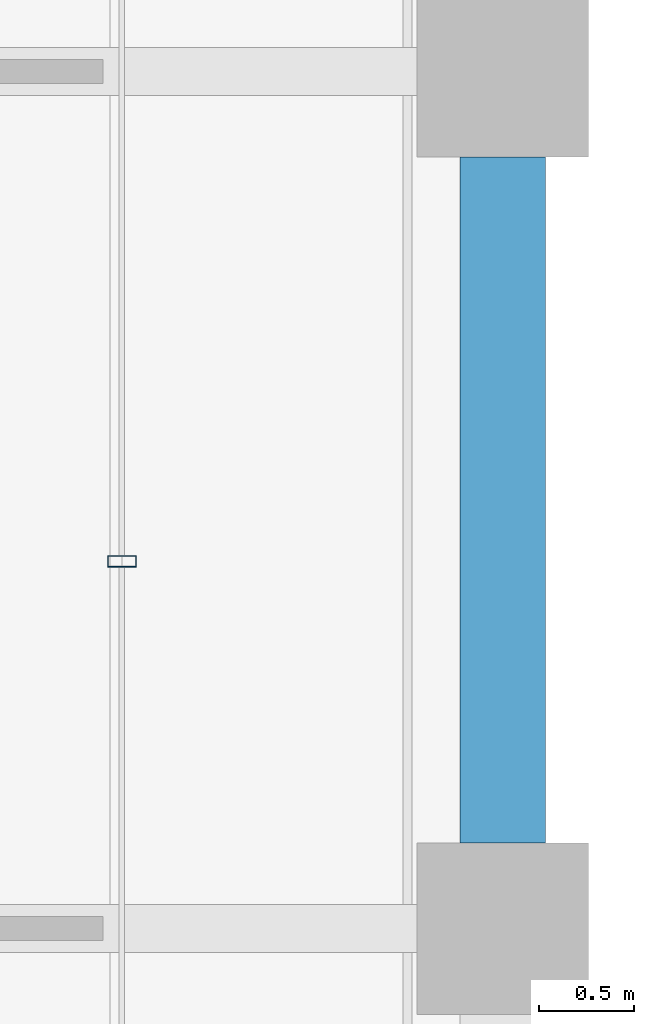
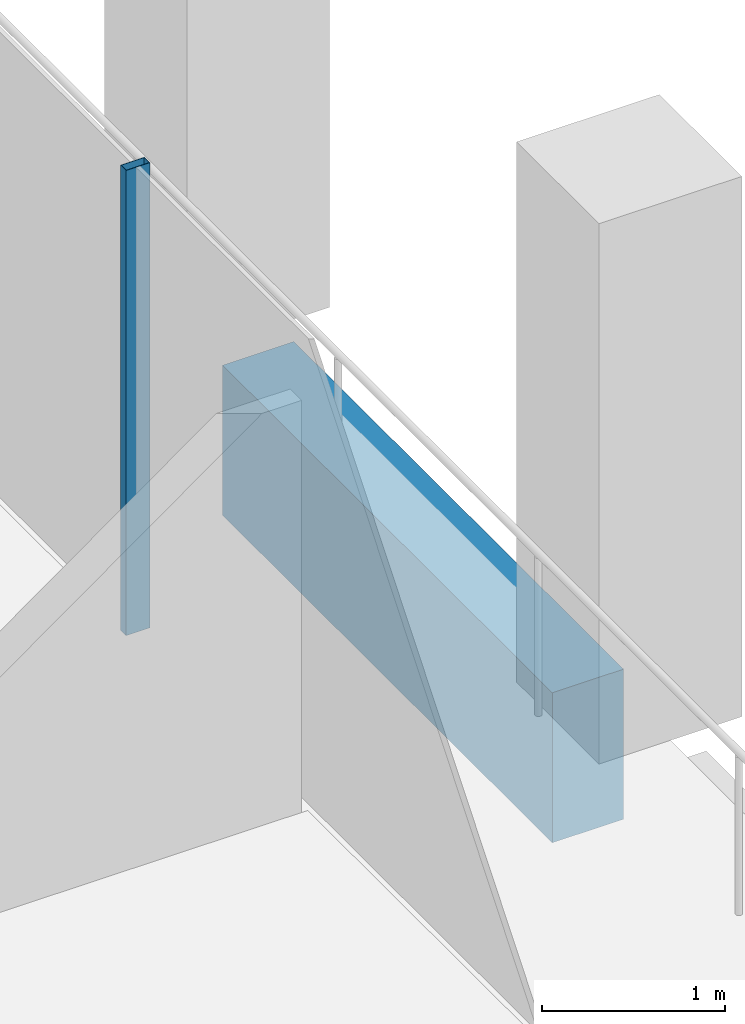
# One storey, part 17 of 40: 1 beam, 1 member, 1 element without a shape of its own.
"""IFC4 building model written with IfcOpenShell, lengths in metres."""

from ifc_helpers import new_model, si_unit, direction, frame, origin, origin_2d, place, context, subcontext, project, spatial, rectangle, hollow_rectangle, extrude, material, material_profile, profile_set, type_object, element, aggregate, save


model = new_model("IFC4")

# Units and contexts
model_context = context("Model", 3, precision=1e-05, world=origin(), true_north=direction((0.0, 1.0)))
body_context = subcontext(model_context, "Body", "Model", "MODEL_VIEW")
ifc_project = project(units=[si_unit("LENGTHUNIT", "METRE"), si_unit("AREAUNIT", "SQUARE_METRE"), si_unit("VOLUMEUNIT", "CUBIC_METRE"), si_unit("PLANEANGLEUNIT", "RADIAN"), si_unit("MASSUNIT", "GRAM", prefix="KILO")], contexts=[model_context])

# Site, building, storey
site_placement = place(None, origin())
site = spatial("IfcSite", under=ifc_project, at=site_placement, CompositionType="ELEMENT")
building_placement = place(site_placement, origin())
building = spatial("IfcBuilding", under=site, at=building_placement, Name="Altepetl Exchange Towers", CompositionType="ELEMENT")
storey_placement = place(building_placement, frame((0.0, 0.0, 151.0)))
storey = spatial("IfcBuildingStorey", under=building, at=storey_placement, Name="L37", CompositionType="ELEMENT", Elevation=151.0)

# Curtain wall, member
ifc_material_1 = material(Name="Aluminium 6063-T6 glazing", Category="aluminium")
curtain_wall_type = type_object("IfcCurtainWallType", Name="Loggia glazing system", PredefinedType="NOTDEFINED", material=ifc_material_1)
curtain_wall_placement = place(storey_placement, origin())
curtain_wall = element("IfcCurtainWall", 1, at=curtain_wall_placement, inside=storey, type_object=curtain_wall_type, Name="CW1 run", PredefinedType="NOTDEFINED")
ifc_material_2 = material(Name="Aluminium 6063-T6", Category="aluminium")
ifc_material_profile_1 = material_profile(ifc_material_2, hollow_rectangle(XDim=0.06005859375, YDim=0.14990234375, WallThickness=0.0029296875, at=origin_2d()), Name="Mullion 60x150 aluminium")
ifc_profile_set_1 = profile_set([ifc_material_profile_1], Name="Aluminium 6063-T6")
member_type = type_object("IfcMemberType", Name="Mullion 60x150 aluminium", PredefinedType="MULLION", material=ifc_profile_set_1)
member_placement = place(storey_placement, frame((70.0, 46.927978515625, 0.0), z_axis=(0.0, 0.0, 1.0), x_axis=(0.0, 1.0, 0.0)))
member = element("IfcMember", 2, at=member_placement, type_object=member_type, Name="MU1 mullion", PredefinedType="MULLION", context=body_context, shape_type="SweptSolid", body=[
    extrude(hollow_rectangle(XDim=0.06005859375, YDim=0.14990234375, WallThickness=0.0029296875, at=origin_2d()), origin(), (0.0, 0.0, 1.0), 3.10009765625),
])
aggregate(curtain_wall, [member])

# Beam
ifc_material_3 = material(Name="Concrete C50/60 precast with cantera amarilla facing", Category="concrete")
ifc_material_profile_2 = material_profile(ifc_material_3, rectangle(XDim=0.449951171875, YDim=1.0, at=origin_2d()), Name="450 x 1000")
ifc_profile_set_2 = profile_set([ifc_material_profile_2], Name="Concrete C50/60 precast with cantera amarilla facing")
beam_type = type_object("IfcBeamType", Name="Spandrel beam 450x1000 cantera amarilla", PredefinedType="SPANDREL", material=ifc_profile_set_2)
beam_placement = place(storey_placement, frame((72.0, 45.449951171875, -0.64990234375), z_axis=(0.0, 1.0, 0.0), x_axis=(-1.0, 0.0, 0.0)))
element("IfcBeam", 3, at=beam_placement, inside=storey, type_object=beam_type, Name="sp:A:L37:015", PredefinedType="SPANDREL", context=body_context, shape_type="SweptSolid", body=[
    extrude(rectangle(XDim=0.449951171875, YDim=1.0, at=origin_2d()), origin(), (0.0, 0.0, 1.0), 3.60009765625),
])

save(model, "model.ifc")
